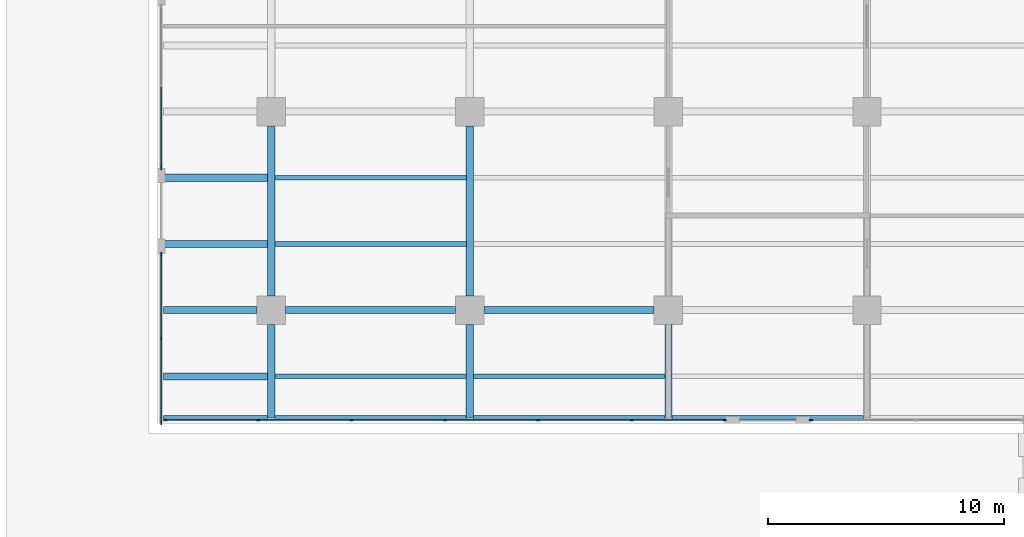
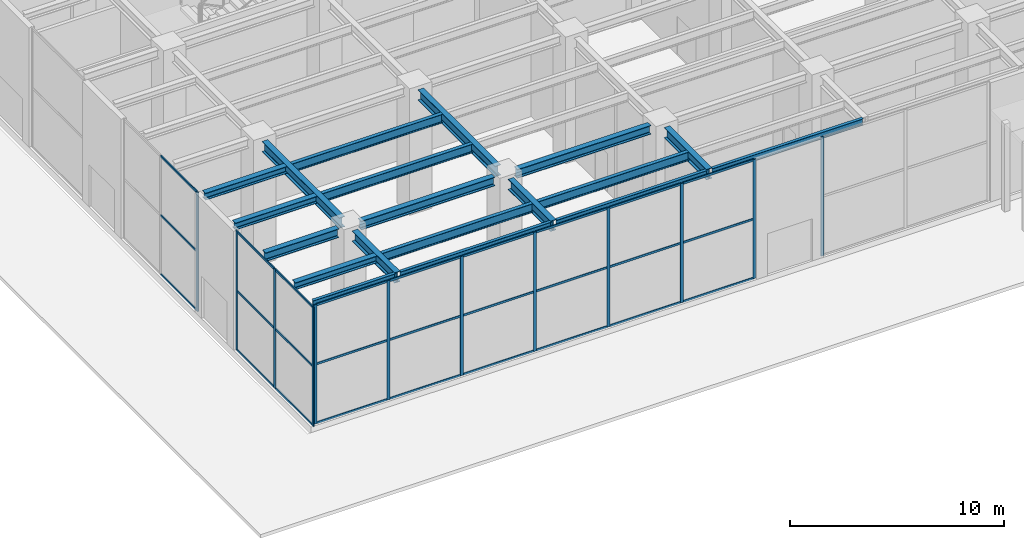
# One storey, part 3 of 43: 39 members, 19 beams, 4 elements without a shape of their own.
"""IFC4 building model written with IfcOpenShell, lengths in metres."""

from ifc_helpers import new_model, si_unit, direction, frame, origin, origin_2d, place, context, subcontext, project, spatial, rectangle, i_section, extrude, material, material_profile, profile_set, type_object, element, aggregate, save


model = new_model("IFC4")

# Units and contexts
model_context = context("Model", 3, precision=1e-05, world=origin(), true_north=direction((0.0, 1.0)))
body_context = subcontext(model_context, "Body", "Model", "MODEL_VIEW")
ifc_project = project(units=[si_unit("LENGTHUNIT", "METRE"), si_unit("AREAUNIT", "SQUARE_METRE"), si_unit("VOLUMEUNIT", "CUBIC_METRE"), si_unit("PLANEANGLEUNIT", "RADIAN"), si_unit("MASSUNIT", "GRAM", prefix="KILO")], contexts=[model_context])

# Site, building, storey
site_placement = place(None, origin())
site = spatial("IfcSite", under=ifc_project, at=site_placement, CompositionType="ELEMENT")
building_placement = place(site_placement, origin())
building = spatial("IfcBuilding", under=site, at=building_placement, Name="Khepri Terraces", CompositionType="ELEMENT")
storey_placement = place(building_placement, origin())
storey = spatial("IfcBuildingStorey", under=building, at=storey_placement, Name="L00", CompositionType="ELEMENT", Elevation=0.0)

# Curtain wall, member
ifc_material_1 = material(Name="Anodised aluminium bronze curtain wall", Category="aluminium")
curtain_wall_type = type_object("IfcCurtainWallType", Name="CW-SYS1-LOBBY", PredefinedType="NOTDEFINED", material=ifc_material_1)
curtain_wall_1_placement = place(storey_placement, origin())
curtain_wall_1 = element("IfcCurtainWall", 1, at=curtain_wall_1_placement, inside=storey, type_object=curtain_wall_type, Name="Curtain wall CW1 L00 W", PredefinedType="NOTDEFINED")
ifc_material_2 = material(Name="Anodised aluminium bronze", Category="aluminium")
ifc_material_profile_1 = material_profile(ifc_material_2, rectangle(XDim=0.06005859375, YDim=0.159912109375, at=origin_2d()), Name="Anodised aluminium bronze", Category="aluminium")
ifc_profile_set_1 = profile_set([ifc_material_profile_1], Name="Anodised aluminium bronze")
member_type_1 = type_object("IfcMemberType", Name="CW-MULLION-60x160", PredefinedType="MULLION", material=ifc_profile_set_1)
member_1_placement = place(storey_placement, frame((-46.64990234375, -35.969970703125, 0.0), z_axis=(0.0, 0.0, 1.0), x_axis=(1.0, 0.0, 0.0)))
member_1 = element("IfcMember", 2, at=member_1_placement, type_object=member_type_1, Name="CW1 mullion 3", PredefinedType="MULLION", context=body_context, shape_type="SweptSolid", body=[
    extrude(rectangle(XDim=0.06005859375, YDim=0.159912109375, at=origin_2d()), origin(), (0.0, 0.0, 1.0), 6.780029296875),
])

# Curtain wall, members
curtain_wall_2_placement = place(storey_placement, origin())
curtain_wall_2 = element("IfcCurtainWall", 3, at=curtain_wall_2_placement, inside=storey, type_object=curtain_wall_type, Name="Curtain wall CW1 L00 W", PredefinedType="NOTDEFINED")
member_2_placement = place(storey_placement, frame((-46.64990234375, -39.6298828125, 0.0), z_axis=(0.0, 0.0, 1.0), x_axis=(1.0, 0.0, 0.0)))
member_2 = element("IfcMember", 4, at=member_2_placement, type_object=member_type_1, Name="CW1 mullion 1", PredefinedType="MULLION", context=body_context, shape_type="SweptSolid", body=[
    extrude(rectangle(XDim=0.06005859375, YDim=0.159912109375, at=origin_2d()), origin(), (0.0, 0.0, 1.0), 6.780029296875),
])
member_3_placement = place(storey_placement, frame((-46.64990234375, -43.199951171875, 0.0), z_axis=(0.0, 0.0, 1.0), x_axis=(1.0, 0.0, 0.0)))
member_3 = element("IfcMember", 5, at=member_3_placement, type_object=member_type_1, Name="CW1 mullion 2", PredefinedType="MULLION", context=body_context, shape_type="SweptSolid", body=[
    extrude(rectangle(XDim=0.06005859375, YDim=0.159912109375, at=origin_2d()), origin(), (0.0, 0.0, 1.0), 6.780029296875),
])
member_4_placement = place(storey_placement, frame((-46.64990234375, -46.77001953125, 0.0), z_axis=(0.0, 0.0, 1.0), x_axis=(1.0, 0.0, 0.0)))
member_4 = element("IfcMember", 6, at=member_4_placement, type_object=member_type_1, Name="CW1 mullion 3", PredefinedType="MULLION", context=body_context, shape_type="SweptSolid", body=[
    extrude(rectangle(XDim=0.06005859375, YDim=0.159912109375, at=origin_2d()), origin(), (0.0, 0.0, 1.0), 6.780029296875),
])

curtain_wall_3_placement = place(storey_placement, origin())
curtain_wall_3 = element("IfcCurtainWall", 7, at=curtain_wall_3_placement, inside=storey, type_object=curtain_wall_type, Name="Curtain wall CW1 L00 S", PredefinedType="NOTDEFINED")
member_5_placement = place(storey_placement, frame((-46.469970703125, -46.64990234375, 0.0), z_axis=(0.0, 0.0, 1.0), x_axis=(0.0, 1.0, 0.0)))
member_5 = element("IfcMember", 8, at=member_5_placement, type_object=member_type_1, Name="CW1 mullion 1", PredefinedType="MULLION", context=body_context, shape_type="SweptSolid", body=[
    extrude(rectangle(XDim=0.06005859375, YDim=0.159912109375, at=origin_2d()), origin(), (0.0, 0.0, 1.0), 6.780029296875),
])
member_6_placement = place(storey_placement, frame((-42.550048828125, -46.64990234375, 0.0), z_axis=(0.0, 0.0, 1.0), x_axis=(0.0, 1.0, 0.0)))
member_6 = element("IfcMember", 9, at=member_6_placement, type_object=member_type_1, Name="CW1 mullion 2", PredefinedType="MULLION", context=body_context, shape_type="SweptSolid", body=[
    extrude(rectangle(XDim=0.06005859375, YDim=0.159912109375, at=origin_2d()), origin(), (0.0, 0.0, 1.0), 6.780029296875),
])
member_7_placement = place(storey_placement, frame((-38.60009765625, -46.64990234375, 0.0), z_axis=(0.0, 0.0, 1.0), x_axis=(0.0, 1.0, 0.0)))
member_7 = element("IfcMember", 10, at=member_7_placement, type_object=member_type_1, Name="CW1 mullion 3", PredefinedType="MULLION", context=body_context, shape_type="SweptSolid", body=[
    extrude(rectangle(XDim=0.06005859375, YDim=0.159912109375, at=origin_2d()), origin(), (0.0, 0.0, 1.0), 6.780029296875),
])
member_8_placement = place(storey_placement, frame((-34.64990234375, -46.64990234375, 0.0), z_axis=(0.0, 0.0, 1.0), x_axis=(0.0, 1.0, 0.0)))
member_8 = element("IfcMember", 11, at=member_8_placement, type_object=member_type_1, Name="CW1 mullion 4", PredefinedType="MULLION", context=body_context, shape_type="SweptSolid", body=[
    extrude(rectangle(XDim=0.06005859375, YDim=0.159912109375, at=origin_2d()), origin(), (0.0, 0.0, 1.0), 6.780029296875),
])
member_9_placement = place(storey_placement, frame((-30.699951171875, -46.64990234375, 0.0), z_axis=(0.0, 0.0, 1.0), x_axis=(0.0, 1.0, 0.0)))
member_9 = element("IfcMember", 12, at=member_9_placement, type_object=member_type_1, Name="CW1 mullion 5", PredefinedType="MULLION", context=body_context, shape_type="SweptSolid", body=[
    extrude(rectangle(XDim=0.06005859375, YDim=0.159912109375, at=origin_2d()), origin(), (0.0, 0.0, 1.0), 6.780029296875),
])
member_10_placement = place(storey_placement, frame((-26.75, -46.64990234375, 0.0), z_axis=(0.0, 0.0, 1.0), x_axis=(0.0, 1.0, 0.0)))
member_10 = element("IfcMember", 13, at=member_10_placement, type_object=member_type_1, Name="CW1 mullion 6", PredefinedType="MULLION", context=body_context, shape_type="SweptSolid", body=[
    extrude(rectangle(XDim=0.06005859375, YDim=0.159912109375, at=origin_2d()), origin(), (0.0, 0.0, 1.0), 6.780029296875),
])
member_11_placement = place(storey_placement, frame((-22.830078125, -46.64990234375, 0.0), z_axis=(0.0, 0.0, 1.0), x_axis=(0.0, 1.0, 0.0)))
member_11 = element("IfcMember", 14, at=member_11_placement, type_object=member_type_1, Name="CW1 mullion 7", PredefinedType="MULLION", context=body_context, shape_type="SweptSolid", body=[
    extrude(rectangle(XDim=0.06005859375, YDim=0.159912109375, at=origin_2d()), origin(), (0.0, 0.0, 1.0), 6.780029296875),
])

# Curtain wall, member
curtain_wall_4_placement = place(storey_placement, origin())
curtain_wall_4 = element("IfcCurtainWall", 15, at=curtain_wall_4_placement, inside=storey, type_object=curtain_wall_type, Name="Curtain wall CW1 L00 S", PredefinedType="NOTDEFINED")
member_12_placement = place(storey_placement, frame((-19.169921875, -46.64990234375, 0.0), z_axis=(0.0, 0.0, 1.0), x_axis=(0.0, 1.0, 0.0)))
member_12 = element("IfcMember", 16, at=member_12_placement, type_object=member_type_1, Name="CW1 mullion 1", PredefinedType="MULLION", context=body_context, shape_type="SweptSolid", body=[
    extrude(rectangle(XDim=0.06005859375, YDim=0.159912109375, at=origin_2d()), origin(), (0.0, 0.0, 1.0), 6.780029296875),
])
aggregate(curtain_wall_4, [member_12])

# Member
ifc_material_profile_2 = material_profile(ifc_material_2, rectangle(XDim=0.06005859375, YDim=0.1201171875, at=origin_2d()), Name="Anodised aluminium bronze", Category="aluminium")
ifc_profile_set_2 = profile_set([ifc_material_profile_2], Name="Anodised aluminium bronze")
member_type_2 = type_object("IfcMemberType", Name="CW-TRANSOM-60x120", PredefinedType="USERDEFINED", material=ifc_profile_set_2)
member_13_placement = place(storey_placement, frame((-46.64990234375, -32.580078125, 0.030029296875), z_axis=(0.0, -1.0, 0.0), x_axis=(1.0, 0.0, 0.0)))
member_13 = element("IfcMember", 17, at=member_13_placement, type_object=member_type_2, Name="CW1 transom 2.1", ObjectType="TRANSOM", PredefinedType="USERDEFINED", context=body_context, shape_type="SweptSolid", body=[
    extrude(rectangle(XDim=0.06005859375, YDim=0.1201171875, at=origin_2d()), origin(), (0.0, 0.0, 1.0), 3.35986328125),
])

member_14_placement = place(storey_placement, frame((-46.64990234375, -32.580078125, 3.389892578125), z_axis=(0.0, -1.0, 0.0), x_axis=(1.0, 0.0, 0.0)))
member_14 = element("IfcMember", 18, at=member_14_placement, type_object=member_type_2, Name="CW1 transom 2.2", ObjectType="TRANSOM", PredefinedType="USERDEFINED", context=body_context, shape_type="SweptSolid", body=[
    extrude(rectangle(XDim=0.06005859375, YDim=0.1201171875, at=origin_2d()), origin(), (0.0, 0.0, 1.0), 3.35986328125),
])

member_15_placement = place(storey_placement, frame((-46.64990234375, -32.580078125, 6.75), z_axis=(0.0, -1.0, 0.0), x_axis=(1.0, 0.0, 0.0)))
member_15 = element("IfcMember", 19, at=member_15_placement, type_object=member_type_2, Name="CW1 transom 2.3", ObjectType="TRANSOM", PredefinedType="USERDEFINED", context=body_context, shape_type="SweptSolid", body=[
    extrude(rectangle(XDim=0.06005859375, YDim=0.1201171875, at=origin_2d()), origin(), (0.0, 0.0, 1.0), 3.35986328125),
])

aggregate(curtain_wall_1, [member_1, member_13, member_14, member_15])

member_16_placement = place(storey_placement, frame((-46.64990234375, -39.659912109375, 0.030029296875), z_axis=(0.0, -1.0, 0.0), x_axis=(1.0, 0.0, 0.0)))
member_16 = element("IfcMember", 20, at=member_16_placement, type_object=member_type_2, Name="CW1 transom 1.1", ObjectType="TRANSOM", PredefinedType="USERDEFINED", context=body_context, shape_type="SweptSolid", body=[
    extrude(rectangle(XDim=0.06005859375, YDim=0.1201171875, at=origin_2d()), origin(), (0.0, 0.0, 1.0), 3.510009765625),
])

member_17_placement = place(storey_placement, frame((-46.64990234375, -39.659912109375, 3.389892578125), z_axis=(0.0, -1.0, 0.0), x_axis=(1.0, 0.0, 0.0)))
member_17 = element("IfcMember", 21, at=member_17_placement, type_object=member_type_2, Name="CW1 transom 1.2", ObjectType="TRANSOM", PredefinedType="USERDEFINED", context=body_context, shape_type="SweptSolid", body=[
    extrude(rectangle(XDim=0.06005859375, YDim=0.1201171875, at=origin_2d()), origin(), (0.0, 0.0, 1.0), 3.510009765625),
])

member_18_placement = place(storey_placement, frame((-46.64990234375, -39.659912109375, 6.75), z_axis=(0.0, -1.0, 0.0), x_axis=(1.0, 0.0, 0.0)))
member_18 = element("IfcMember", 22, at=member_18_placement, type_object=member_type_2, Name="CW1 transom 1.3", ObjectType="TRANSOM", PredefinedType="USERDEFINED", context=body_context, shape_type="SweptSolid", body=[
    extrude(rectangle(XDim=0.06005859375, YDim=0.1201171875, at=origin_2d()), origin(), (0.0, 0.0, 1.0), 3.510009765625),
])

member_19_placement = place(storey_placement, frame((-46.64990234375, -43.22998046875, 0.030029296875), z_axis=(0.0, -1.0, 0.0), x_axis=(1.0, 0.0, 0.0)))
member_19 = element("IfcMember", 23, at=member_19_placement, type_object=member_type_2, Name="CW1 transom 2.1", ObjectType="TRANSOM", PredefinedType="USERDEFINED", context=body_context, shape_type="SweptSolid", body=[
    extrude(rectangle(XDim=0.06005859375, YDim=0.1201171875, at=origin_2d()), origin(), (0.0, 0.0, 1.0), 3.510009765625),
])

member_20_placement = place(storey_placement, frame((-46.64990234375, -43.22998046875, 3.389892578125), z_axis=(0.0, -1.0, 0.0), x_axis=(1.0, 0.0, 0.0)))
member_20 = element("IfcMember", 24, at=member_20_placement, type_object=member_type_2, Name="CW1 transom 2.2", ObjectType="TRANSOM", PredefinedType="USERDEFINED", context=body_context, shape_type="SweptSolid", body=[
    extrude(rectangle(XDim=0.06005859375, YDim=0.1201171875, at=origin_2d()), origin(), (0.0, 0.0, 1.0), 3.510009765625),
])

member_21_placement = place(storey_placement, frame((-46.64990234375, -43.22998046875, 6.75), z_axis=(0.0, -1.0, 0.0), x_axis=(1.0, 0.0, 0.0)))
member_21 = element("IfcMember", 25, at=member_21_placement, type_object=member_type_2, Name="CW1 transom 2.3", ObjectType="TRANSOM", PredefinedType="USERDEFINED", context=body_context, shape_type="SweptSolid", body=[
    extrude(rectangle(XDim=0.06005859375, YDim=0.1201171875, at=origin_2d()), origin(), (0.0, 0.0, 1.0), 3.510009765625),
])

aggregate(curtain_wall_2, [member_2, member_3, member_4, member_16, member_17, member_18, member_19, member_20, member_21])

member_22_placement = place(storey_placement, frame((-46.43994140625, -46.64990234375, 0.030029296875), z_axis=(1.0, 0.0, 0.0), x_axis=(0.0, 1.0, 0.0)))
member_22 = element("IfcMember", 26, at=member_22_placement, type_object=member_type_2, Name="CW1 transom 1.1", ObjectType="TRANSOM", PredefinedType="USERDEFINED", context=body_context, shape_type="SweptSolid", body=[
    extrude(rectangle(XDim=0.06005859375, YDim=0.1201171875, at=origin_2d()), origin(), (0.0, 0.0, 1.0), 3.85986328125),
])

member_23_placement = place(storey_placement, frame((-46.43994140625, -46.64990234375, 3.389892578125), z_axis=(1.0, 0.0, 0.0), x_axis=(0.0, 1.0, 0.0)))
member_23 = element("IfcMember", 27, at=member_23_placement, type_object=member_type_2, Name="CW1 transom 1.2", ObjectType="TRANSOM", PredefinedType="USERDEFINED", context=body_context, shape_type="SweptSolid", body=[
    extrude(rectangle(XDim=0.06005859375, YDim=0.1201171875, at=origin_2d()), origin(), (0.0, 0.0, 1.0), 3.85986328125),
])

member_24_placement = place(storey_placement, frame((-46.43994140625, -46.64990234375, 6.75), z_axis=(1.0, 0.0, 0.0), x_axis=(0.0, 1.0, 0.0)))
member_24 = element("IfcMember", 28, at=member_24_placement, type_object=member_type_2, Name="CW1 transom 1.3", ObjectType="TRANSOM", PredefinedType="USERDEFINED", context=body_context, shape_type="SweptSolid", body=[
    extrude(rectangle(XDim=0.06005859375, YDim=0.1201171875, at=origin_2d()), origin(), (0.0, 0.0, 1.0), 3.85986328125),
])

member_25_placement = place(storey_placement, frame((-42.52001953125, -46.64990234375, 0.030029296875), z_axis=(1.0, 0.0, 0.0), x_axis=(0.0, 1.0, 0.0)))
member_25 = element("IfcMember", 29, at=member_25_placement, type_object=member_type_2, Name="CW1 transom 2.1", ObjectType="TRANSOM", PredefinedType="USERDEFINED", context=body_context, shape_type="SweptSolid", body=[
    extrude(rectangle(XDim=0.06005859375, YDim=0.1201171875, at=origin_2d()), origin(), (0.0, 0.0, 1.0), 3.89013671875),
])

member_26_placement = place(storey_placement, frame((-42.52001953125, -46.64990234375, 3.389892578125), z_axis=(1.0, 0.0, 0.0), x_axis=(0.0, 1.0, 0.0)))
member_26 = element("IfcMember", 30, at=member_26_placement, type_object=member_type_2, Name="CW1 transom 2.2", ObjectType="TRANSOM", PredefinedType="USERDEFINED", context=body_context, shape_type="SweptSolid", body=[
    extrude(rectangle(XDim=0.06005859375, YDim=0.1201171875, at=origin_2d()), origin(), (0.0, 0.0, 1.0), 3.89013671875),
])

member_27_placement = place(storey_placement, frame((-42.52001953125, -46.64990234375, 6.75), z_axis=(1.0, 0.0, 0.0), x_axis=(0.0, 1.0, 0.0)))
member_27 = element("IfcMember", 31, at=member_27_placement, type_object=member_type_2, Name="CW1 transom 2.3", ObjectType="TRANSOM", PredefinedType="USERDEFINED", context=body_context, shape_type="SweptSolid", body=[
    extrude(rectangle(XDim=0.06005859375, YDim=0.1201171875, at=origin_2d()), origin(), (0.0, 0.0, 1.0), 3.89013671875),
])

member_28_placement = place(storey_placement, frame((-38.570068359375, -46.64990234375, 0.030029296875), z_axis=(1.0, 0.0, 0.0), x_axis=(0.0, 1.0, 0.0)))
member_28 = element("IfcMember", 32, at=member_28_placement, type_object=member_type_2, Name="CW1 transom 3.1", ObjectType="TRANSOM", PredefinedType="USERDEFINED", context=body_context, shape_type="SweptSolid", body=[
    extrude(rectangle(XDim=0.06005859375, YDim=0.1201171875, at=origin_2d()), origin(), (0.0, 0.0, 1.0), 3.89013671875),
])

member_29_placement = place(storey_placement, frame((-38.570068359375, -46.64990234375, 3.389892578125), z_axis=(1.0, 0.0, 0.0), x_axis=(0.0, 1.0, 0.0)))
member_29 = element("IfcMember", 33, at=member_29_placement, type_object=member_type_2, Name="CW1 transom 3.2", ObjectType="TRANSOM", PredefinedType="USERDEFINED", context=body_context, shape_type="SweptSolid", body=[
    extrude(rectangle(XDim=0.06005859375, YDim=0.1201171875, at=origin_2d()), origin(), (0.0, 0.0, 1.0), 3.89013671875),
])

member_30_placement = place(storey_placement, frame((-38.570068359375, -46.64990234375, 6.75), z_axis=(1.0, 0.0, 0.0), x_axis=(0.0, 1.0, 0.0)))
member_30 = element("IfcMember", 34, at=member_30_placement, type_object=member_type_2, Name="CW1 transom 3.3", ObjectType="TRANSOM", PredefinedType="USERDEFINED", context=body_context, shape_type="SweptSolid", body=[
    extrude(rectangle(XDim=0.06005859375, YDim=0.1201171875, at=origin_2d()), origin(), (0.0, 0.0, 1.0), 3.89013671875),
])

member_31_placement = place(storey_placement, frame((-34.6201171875, -46.64990234375, 0.030029296875), z_axis=(1.0, 0.0, 0.0), x_axis=(0.0, 1.0, 0.0)))
member_31 = element("IfcMember", 35, at=member_31_placement, type_object=member_type_2, Name="CW1 transom 4.1", ObjectType="TRANSOM", PredefinedType="USERDEFINED", context=body_context, shape_type="SweptSolid", body=[
    extrude(rectangle(XDim=0.06005859375, YDim=0.1201171875, at=origin_2d()), origin(), (0.0, 0.0, 1.0), 3.89013671875),
])

member_32_placement = place(storey_placement, frame((-34.6201171875, -46.64990234375, 3.389892578125), z_axis=(1.0, 0.0, 0.0), x_axis=(0.0, 1.0, 0.0)))
member_32 = element("IfcMember", 36, at=member_32_placement, type_object=member_type_2, Name="CW1 transom 4.2", ObjectType="TRANSOM", PredefinedType="USERDEFINED", context=body_context, shape_type="SweptSolid", body=[
    extrude(rectangle(XDim=0.06005859375, YDim=0.1201171875, at=origin_2d()), origin(), (0.0, 0.0, 1.0), 3.89013671875),
])

member_33_placement = place(storey_placement, frame((-34.6201171875, -46.64990234375, 6.75), z_axis=(1.0, 0.0, 0.0), x_axis=(0.0, 1.0, 0.0)))
member_33 = element("IfcMember", 37, at=member_33_placement, type_object=member_type_2, Name="CW1 transom 4.3", ObjectType="TRANSOM", PredefinedType="USERDEFINED", context=body_context, shape_type="SweptSolid", body=[
    extrude(rectangle(XDim=0.06005859375, YDim=0.1201171875, at=origin_2d()), origin(), (0.0, 0.0, 1.0), 3.89013671875),
])

member_34_placement = place(storey_placement, frame((-30.669921875, -46.64990234375, 0.030029296875), z_axis=(1.0, 0.0, 0.0), x_axis=(0.0, 1.0, 0.0)))
member_34 = element("IfcMember", 38, at=member_34_placement, type_object=member_type_2, Name="CW1 transom 5.1", ObjectType="TRANSOM", PredefinedType="USERDEFINED", context=body_context, shape_type="SweptSolid", body=[
    extrude(rectangle(XDim=0.06005859375, YDim=0.1201171875, at=origin_2d()), origin(), (0.0, 0.0, 1.0), 3.889892578125),
])

member_35_placement = place(storey_placement, frame((-30.669921875, -46.64990234375, 3.389892578125), z_axis=(1.0, 0.0, 0.0), x_axis=(0.0, 1.0, 0.0)))
member_35 = element("IfcMember", 39, at=member_35_placement, type_object=member_type_2, Name="CW1 transom 5.2", ObjectType="TRANSOM", PredefinedType="USERDEFINED", context=body_context, shape_type="SweptSolid", body=[
    extrude(rectangle(XDim=0.06005859375, YDim=0.1201171875, at=origin_2d()), origin(), (0.0, 0.0, 1.0), 3.889892578125),
])

member_36_placement = place(storey_placement, frame((-30.669921875, -46.64990234375, 6.75), z_axis=(1.0, 0.0, 0.0), x_axis=(0.0, 1.0, 0.0)))
member_36 = element("IfcMember", 40, at=member_36_placement, type_object=member_type_2, Name="CW1 transom 5.3", ObjectType="TRANSOM", PredefinedType="USERDEFINED", context=body_context, shape_type="SweptSolid", body=[
    extrude(rectangle(XDim=0.06005859375, YDim=0.1201171875, at=origin_2d()), origin(), (0.0, 0.0, 1.0), 3.889892578125),
])

member_37_placement = place(storey_placement, frame((-26.719970703125, -46.64990234375, 0.030029296875), z_axis=(1.0, 0.0, 0.0), x_axis=(0.0, 1.0, 0.0)))
member_37 = element("IfcMember", 41, at=member_37_placement, type_object=member_type_2, Name="CW1 transom 6.1", ObjectType="TRANSOM", PredefinedType="USERDEFINED", context=body_context, shape_type="SweptSolid", body=[
    extrude(rectangle(XDim=0.06005859375, YDim=0.1201171875, at=origin_2d()), origin(), (0.0, 0.0, 1.0), 3.85986328125),
])

member_38_placement = place(storey_placement, frame((-26.719970703125, -46.64990234375, 3.389892578125), z_axis=(1.0, 0.0, 0.0), x_axis=(0.0, 1.0, 0.0)))
member_38 = element("IfcMember", 42, at=member_38_placement, type_object=member_type_2, Name="CW1 transom 6.2", ObjectType="TRANSOM", PredefinedType="USERDEFINED", context=body_context, shape_type="SweptSolid", body=[
    extrude(rectangle(XDim=0.06005859375, YDim=0.1201171875, at=origin_2d()), origin(), (0.0, 0.0, 1.0), 3.85986328125),
])

member_39_placement = place(storey_placement, frame((-26.719970703125, -46.64990234375, 6.75), z_axis=(1.0, 0.0, 0.0), x_axis=(0.0, 1.0, 0.0)))
member_39 = element("IfcMember", 43, at=member_39_placement, type_object=member_type_2, Name="CW1 transom 6.3", ObjectType="TRANSOM", PredefinedType="USERDEFINED", context=body_context, shape_type="SweptSolid", body=[
    extrude(rectangle(XDim=0.06005859375, YDim=0.1201171875, at=origin_2d()), origin(), (0.0, 0.0, 1.0), 3.85986328125),
])

aggregate(curtain_wall_3, [member_5, member_6, member_7, member_8, member_9, member_10, member_11, member_22, member_23, member_24, member_25, member_26, member_27, member_28, member_29, member_30, member_31, member_32, member_33, member_34, member_35, member_36, member_37, member_38, member_39])

# Beams
ifc_material_3 = material(Name="Steel S355", Category="steel")
ifc_material_profile_3 = material_profile(ifc_material_3, i_section(OverallWidth=0.169921875, OverallDepth=0.360107421875, WebThickness=0.008056640625, FlangeThickness=0.0126953125, FilletRadius=0.01806640625, at=origin_2d()), Name="Steel S355", Category="steel")
ifc_profile_set_3 = profile_set([ifc_material_profile_3], Name="Steel S355")
beam_type_1 = type_object("IfcBeamType", Name="Podium cantilever edge beam L01 IPE 360", PredefinedType="SPANDREL", material=ifc_profile_set_3)
beam_1_placement = place(storey_placement, frame((-46.550048828125, -46.550048828125, 6.820068359375), z_axis=(1.0, 0.0, 0.0), x_axis=(0.0, 1.0, 0.0)))
element("IfcBeam", 44, at=beam_1_placement, inside=storey, type_object=beam_type_1, Name="Podium edge beam L01 001", PredefinedType="SPANDREL", context=body_context, shape_type="SweptSolid", body=[
    extrude(i_section(OverallWidth=0.169921875, OverallDepth=0.360107421875, WebThickness=0.008056640625, FlangeThickness=0.0126953125, FilletRadius=0.01806640625, at=origin_2d()), origin(), (0.0, 0.0, 1.0), 4.400146484375),
])
ifc_material_profile_4 = material_profile(ifc_material_3, i_section(OverallWidth=0.300048828125, OverallDepth=0.60009765625, WebThickness=0.015380859375, FlangeThickness=0.030029296875, FilletRadius=0.027099609375, at=origin_2d()), Name="Steel S355", Category="steel")
ifc_profile_set_4 = profile_set([ifc_material_profile_4], Name="Steel S355")
beam_type_2 = type_object("IfcBeamType", Name="Podium cantilever girder L01 HEB 600", PredefinedType="BEAM", material=ifc_profile_set_4)
for number, where, z_axis, x_axis, name in (
    (45, (-42.0, -46.550048828125, 6.699951171875), (0.0, 1.0, 0.0), (-1.0, 0.0, 0.0), "Podium girder L01 001"),
    (46, (-33.60009765625, -46.550048828125, 6.699951171875), (0.0, 1.0, 0.0), (-1.0, 0.0, 0.0), "Podium girder L01 013"),
    (47, (-25.199951171875, -46.550048828125, 6.699951171875), (0.0, 1.0, 0.0), (-1.0, 0.0, 0.0), "Podium girder L01 025"),
):
    element("IfcBeam", number, at=place(storey_placement, frame(where, z_axis=z_axis, x_axis=x_axis)), inside=storey, type_object=beam_type_2, Name=name, PredefinedType="BEAM", context=body_context, shape_type="SweptSolid", body=[
        extrude(i_section(OverallWidth=0.300048828125, OverallDepth=0.60009765625, WebThickness=0.015380859375, FlangeThickness=0.030029296875, FilletRadius=0.027099609375, at=origin_2d()), origin(), (0.0, 0.0, 1.0), 3.949951171875),
    ])
ifc_material_profile_5 = material_profile(ifc_material_3, i_section(OverallWidth=0.300048828125, OverallDepth=0.39990234375, WebThickness=0.013427734375, FlangeThickness=0.02392578125, FilletRadius=0.027099609375, at=origin_2d()), Name="Steel S355", Category="steel")
ifc_profile_set_5 = profile_set([ifc_material_profile_5], Name="Steel S355")
beam_type_3 = type_object("IfcBeamType", Name="Podium cantilever joist L01 HEB 400", PredefinedType="JOIST", material=ifc_profile_set_5)
for number, where, z_axis, x_axis, name in (
    (48, (-46.550048828125, -44.800048828125, 6.800048828125), (1.0, 0.0, 0.0), (0.0, 1.0, 0.0), "Podium cantilever joist L01 001"),
    (49, (-46.550048828125, -39.199951171875, 6.800048828125), (1.0, 0.0, 0.0), (0.0, 1.0, 0.0), "Podium cantilever joist L01 025"),
    (50, (-46.550048828125, -36.39990234375, 6.800048828125), (1.0, 0.0, 0.0), (0.0, 1.0, 0.0), "Podium cantilever joist L01 037"),
):
    element("IfcBeam", number, at=place(storey_placement, frame(where, z_axis=z_axis, x_axis=x_axis)), inside=storey, type_object=beam_type_3, Name=name, PredefinedType="JOIST", context=body_context, shape_type="SweptSolid", body=[
        extrude(i_section(OverallWidth=0.300048828125, OverallDepth=0.39990234375, WebThickness=0.013427734375, FlangeThickness=0.02392578125, FilletRadius=0.027099609375, at=origin_2d()), origin(), (0.0, 0.0, 1.0), 4.400146484375),
    ])
ifc_material_profile_6 = material_profile(ifc_material_3, i_section(OverallWidth=0.169921875, OverallDepth=0.360107421875, WebThickness=0.008056640625, FlangeThickness=0.0126953125, FilletRadius=0.01806640625, at=origin_2d()), Name="Steel S355", Category="steel")
ifc_profile_set_6 = profile_set([ifc_material_profile_6], Name="Steel S355")
beam_type_4 = type_object("IfcBeamType", Name="Podium edge beam L01 IPE 360", PredefinedType="SPANDREL", material=ifc_profile_set_6)
beam_2_placement = place(storey_placement, frame((-41.85009765625, -46.550048828125, 6.820068359375), z_axis=(1.0, 0.0, 0.0), x_axis=(0.0, 1.0, 0.0)))
element("IfcBeam", 51, at=beam_2_placement, inside=storey, type_object=beam_type_4, Name="Podium edge beam L01 002", PredefinedType="SPANDREL", context=body_context, shape_type="SweptSolid", body=[
    extrude(i_section(OverallWidth=0.169921875, OverallDepth=0.360107421875, WebThickness=0.008056640625, FlangeThickness=0.0126953125, FilletRadius=0.01806640625, at=origin_2d()), origin(), (0.0, 0.0, 1.0), 8.10009765625),
])
beam_3_placement = place(storey_placement, frame((-33.449951171875, -46.550048828125, 6.820068359375), z_axis=(1.0, 0.0, 0.0), x_axis=(0.0, 1.0, 0.0)))
element("IfcBeam", 52, at=beam_3_placement, inside=storey, type_object=beam_type_4, Name="Podium edge beam L01 003", PredefinedType="SPANDREL", context=body_context, shape_type="SweptSolid", body=[
    extrude(i_section(OverallWidth=0.169921875, OverallDepth=0.360107421875, WebThickness=0.008056640625, FlangeThickness=0.0126953125, FilletRadius=0.01806640625, at=origin_2d()), origin(), (0.0, 0.0, 1.0), 8.099853515625),
])
beam_4_placement = place(storey_placement, frame((-25.050048828125, -46.550048828125, 6.820068359375), z_axis=(1.0, 0.0, 0.0), x_axis=(0.0, 1.0, 0.0)))
element("IfcBeam", 53, at=beam_4_placement, inside=storey, type_object=beam_type_4, Name="Podium edge beam L01 004", PredefinedType="SPANDREL", context=body_context, shape_type="SweptSolid", body=[
    extrude(i_section(OverallWidth=0.169921875, OverallDepth=0.360107421875, WebThickness=0.008056640625, FlangeThickness=0.0126953125, FilletRadius=0.01806640625, at=origin_2d()), origin(), (0.0, 0.0, 1.0), 8.10009765625),
])
ifc_material_profile_7 = material_profile(ifc_material_3, i_section(OverallWidth=0.300048828125, OverallDepth=0.60009765625, WebThickness=0.015380859375, FlangeThickness=0.030029296875, FilletRadius=0.027099609375, at=origin_2d()), Name="Steel S355", Category="steel")
ifc_profile_set_7 = profile_set([ifc_material_profile_7], Name="Steel S355")
beam_type_5 = type_object("IfcBeamType", Name="Podium girder L01 HEB 600", PredefinedType="BEAM", material=ifc_profile_set_7)
for number, where, z_axis, x_axis, name in (
    (54, (-42.0, -41.39990234375, 6.699951171875), (0.0, 1.0, 0.0), (-1.0, 0.0, 0.0), "Podium girder L01 002"),
    (55, (-33.60009765625, -41.39990234375, 6.699951171875), (0.0, 1.0, 0.0), (-1.0, 0.0, 0.0), "Podium girder L01 014"),
):
    element("IfcBeam", number, at=place(storey_placement, frame(where, z_axis=z_axis, x_axis=x_axis)), inside=storey, type_object=beam_type_5, Name=name, PredefinedType="BEAM", context=body_context, shape_type="SweptSolid", body=[
        extrude(i_section(OverallWidth=0.300048828125, OverallDepth=0.60009765625, WebThickness=0.015380859375, FlangeThickness=0.030029296875, FilletRadius=0.027099609375, at=origin_2d()), origin(), (0.0, 0.0, 1.0), 7.199951171875),
    ])
ifc_material_profile_8 = material_profile(ifc_material_3, i_section(OverallWidth=0.300048828125, OverallDepth=0.5, WebThickness=0.014404296875, FlangeThickness=0.028076171875, FilletRadius=0.027099609375, at=origin_2d()), Name="Steel S355", Category="steel")
ifc_profile_set_8 = profile_set([ifc_material_profile_8], Name="Steel S355")
beam_type_6 = type_object("IfcBeamType", Name="Podium girder L01 grid line HEB 500", PredefinedType="BEAM", material=ifc_profile_set_8)
beam_5_placement = place(storey_placement, frame((-46.550048828125, -42.0, 6.75), z_axis=(1.0, 0.0, 0.0), x_axis=(0.0, 1.0, 0.0)))
element("IfcBeam", 56, at=beam_5_placement, inside=storey, type_object=beam_type_6, Name="Podium grid-line girder L01 013", PredefinedType="BEAM", context=body_context, shape_type="SweptSolid", body=[
    extrude(i_section(OverallWidth=0.300048828125, OverallDepth=0.5, WebThickness=0.014404296875, FlangeThickness=0.028076171875, FilletRadius=0.027099609375, at=origin_2d()), origin(), (0.0, 0.0, 1.0), 3.949951171875),
])
for number, where, z_axis, x_axis, name in (
    (57, (-41.39990234375, -42.0, 6.75), (1.0, 0.0, 0.0), (0.0, 1.0, 0.0), "Podium grid-line girder L01 014"),
    (58, (-33.0, -42.0, 6.75), (1.0, 0.0, 0.0), (0.0, 1.0, 0.0), "Podium grid-line girder L01 015"),
):
    element("IfcBeam", number, at=place(storey_placement, frame(where, z_axis=z_axis, x_axis=x_axis)), inside=storey, type_object=beam_type_6, Name=name, PredefinedType="BEAM", context=body_context, shape_type="SweptSolid", body=[
        extrude(i_section(OverallWidth=0.300048828125, OverallDepth=0.5, WebThickness=0.014404296875, FlangeThickness=0.028076171875, FilletRadius=0.027099609375, at=origin_2d()), origin(), (0.0, 0.0, 1.0), 7.199951171875),
    ])
ifc_material_profile_9 = material_profile(ifc_material_3, i_section(OverallWidth=0.199951171875, OverallDepth=0.5, WebThickness=0.01025390625, FlangeThickness=0.01611328125, FilletRadius=0.02099609375, at=origin_2d()), Name="Steel S355", Category="steel")
ifc_profile_set_9 = profile_set([ifc_material_profile_9], Name="Steel S355")
beam_type_7 = type_object("IfcBeamType", Name="Podium joist L01 IPE 500", PredefinedType="JOIST", material=ifc_profile_set_9)
beam_6_placement = place(storey_placement, frame((-41.85009765625, -44.800048828125, 6.75), z_axis=(1.0, 0.0, 0.0), x_axis=(0.0, 1.0, 0.0)))
element("IfcBeam", 59, at=beam_6_placement, inside=storey, type_object=beam_type_7, Name="Podium joist L01 002", PredefinedType="JOIST", context=body_context, shape_type="SweptSolid", body=[
    extrude(i_section(OverallWidth=0.199951171875, OverallDepth=0.5, WebThickness=0.01025390625, FlangeThickness=0.01611328125, FilletRadius=0.02099609375, at=origin_2d()), origin(), (0.0, 0.0, 1.0), 8.10009765625),
])
beam_7_placement = place(storey_placement, frame((-33.449951171875, -44.800048828125, 6.75), z_axis=(1.0, 0.0, 0.0), x_axis=(0.0, 1.0, 0.0)))
element("IfcBeam", 60, at=beam_7_placement, inside=storey, type_object=beam_type_7, Name="Podium joist L01 003", PredefinedType="JOIST", context=body_context, shape_type="SweptSolid", body=[
    extrude(i_section(OverallWidth=0.199951171875, OverallDepth=0.5, WebThickness=0.01025390625, FlangeThickness=0.01611328125, FilletRadius=0.02099609375, at=origin_2d()), origin(), (0.0, 0.0, 1.0), 8.099853515625),
])
for number, where, z_axis, x_axis, name in (
    (61, (-41.85009765625, -39.199951171875, 6.75), (1.0, 0.0, 0.0), (0.0, 1.0, 0.0), "Podium joist L01 026"),
    (62, (-41.85009765625, -36.39990234375, 6.75), (1.0, 0.0, 0.0), (0.0, 1.0, 0.0), "Podium joist L01 038"),
):
    element("IfcBeam", number, at=place(storey_placement, frame(where, z_axis=z_axis, x_axis=x_axis)), inside=storey, type_object=beam_type_7, Name=name, PredefinedType="JOIST", context=body_context, shape_type="SweptSolid", body=[
        extrude(i_section(OverallWidth=0.199951171875, OverallDepth=0.5, WebThickness=0.01025390625, FlangeThickness=0.01611328125, FilletRadius=0.02099609375, at=origin_2d()), origin(), (0.0, 0.0, 1.0), 8.10009765625),
    ])

save(model, "model.ifc")
